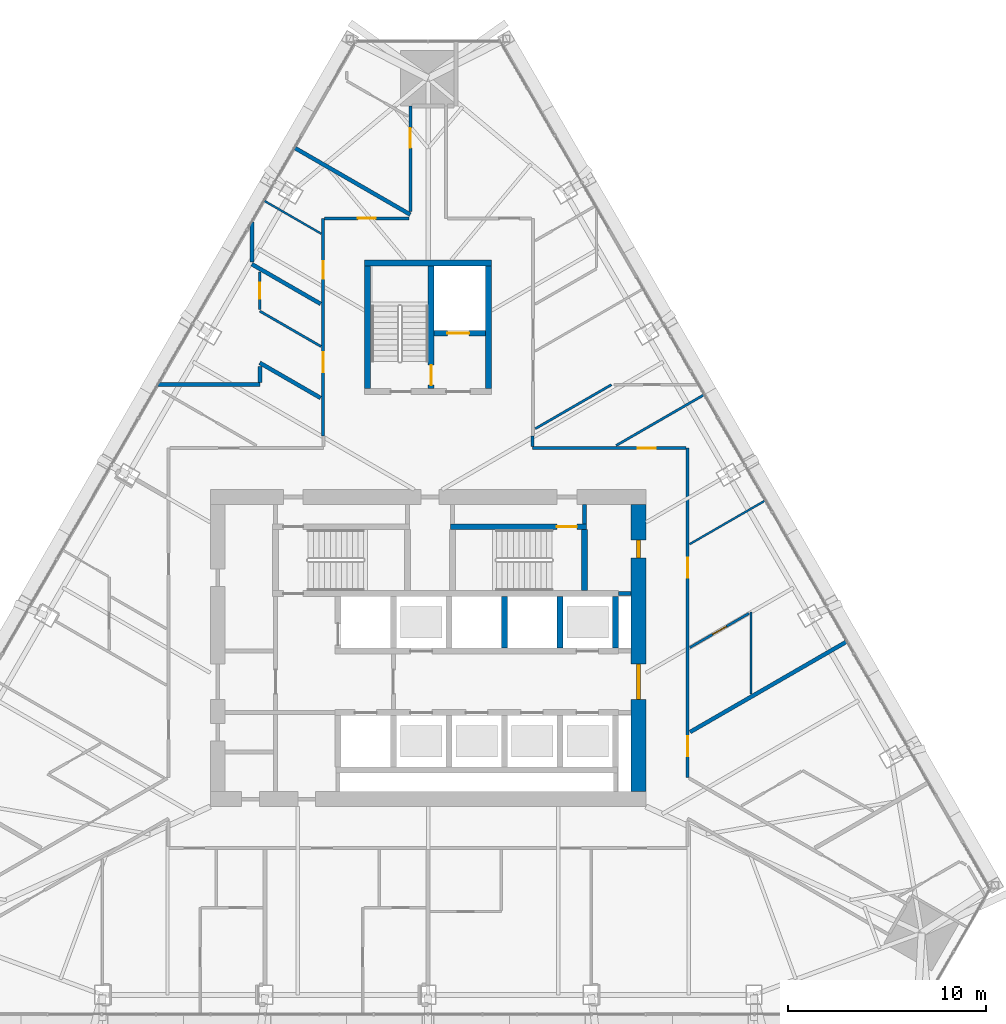
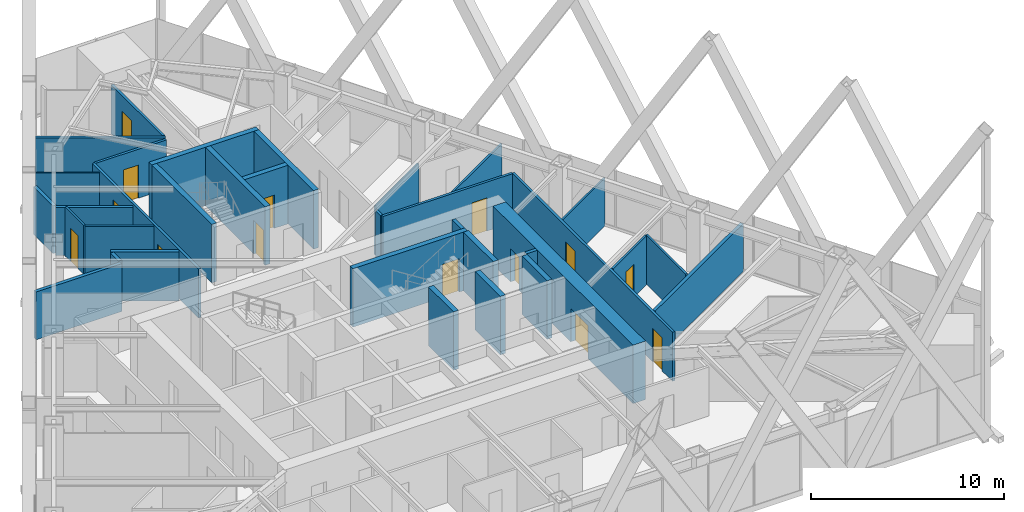
# One storey, part 16 of 19: 34 walls, 14 doors, 14 openings.
"""IFC4 building model written with IfcOpenShell, lengths in metres."""

from ifc_helpers import new_model, si_unit, direction, frame, frame_2d, origin, place, context, subcontext, project, spatial, rectangle, extrude, material, layer, layer_set, type_object, element, fill, save


model = new_model("IFC4")

# Units and contexts
model_context = context("Model", 3, precision=1e-05, world=origin(), true_north=direction((0.0, 1.0)))
body_context = subcontext(model_context, "Body", "Model", "MODEL_VIEW")
ifc_project = project(units=[si_unit("LENGTHUNIT", "METRE"), si_unit("AREAUNIT", "SQUARE_METRE"), si_unit("VOLUMEUNIT", "CUBIC_METRE"), si_unit("PLANEANGLEUNIT", "RADIAN"), si_unit("MASSUNIT", "GRAM", prefix="KILO")], contexts=[model_context])

# Site, building, storey
site_placement = place(None, origin())
site = spatial("IfcSite", under=ifc_project, at=site_placement, CompositionType="ELEMENT")
building_placement = place(site_placement, origin())
building = spatial("IfcBuilding", under=site, at=building_placement, Name="Firuza Gate Tower and Library", CompositionType="ELEMENT")
storey_placement = place(building_placement, frame((0.0, 0.0, 233.800048828125)))
storey = spatial("IfcBuildingStorey", under=building, at=storey_placement, Name="L55", CompositionType="ELEMENT", Elevation=233.800048828125)

# Walls
ifc_material_1 = material(Name="Plasterboard on steel studs", Category="steel")
ifc_layer_1 = layer(ifc_material_1, 0.199951171875)
ifc_layer_set_1 = layer_set([ifc_layer_1], Name="Core partition 200 EI 120")
wall_type_1 = type_object("IfcWallType", Name="Core partition 200 EI 120", PredefinedType="PARTITIONING", material=ifc_layer_set_1)
wall_1_placement = place(storey_placement, frame((84.60009765625, 77.75, 0.0), z_axis=(0.0, 0.0, 1.0), x_axis=(1.0, 0.0, 0.0)))
element("IfcWall", 1, at=wall_1_placement, inside=storey, type_object=wall_type_1, Name="Core partition L55 6", PredefinedType="PARTITIONING", context=body_context, shape_type="SweptSolid", body=[
    extrude(rectangle(XDim=0.64990234375, YDim=0.199951171875, at=frame_2d((0.324951171875, 0.0))), origin(), (0.0, 0.0, 1.0), 3.699951171875),
])
ifc_material_2 = material(Name="Plasterboard on steel studs", Category="steel")
ifc_layer_2 = layer(ifc_material_2, 0.199951171875)
ifc_layer_set_2 = layer_set([ifc_layer_2], Name="Core partition 200 EI 60")
wall_type_2 = type_object("IfcWallType", Name="Core partition 200 EI 60", PredefinedType="PARTITIONING", material=ifc_layer_set_2)
wall_2_placement = place(storey_placement, frame((82.89990234375, 81.280029296875, 0.0), z_axis=(0.0, 0.0, 1.0), x_axis=(0.0, 1.0, 0.0)))
element("IfcWall", 2, at=wall_2_placement, inside=storey, type_object=wall_type_2, Name="Core partition L55 14", PredefinedType="PARTITIONING", context=body_context, shape_type="SweptSolid", body=[
    extrude(rectangle(XDim=0.969970703125, YDim=0.199951171875, at=frame_2d((0.48486328125, 0.0))), origin(), (0.0, 0.0, 1.0), 3.699951171875),
])
ifc_material_3 = material(Name="Concrete C80/95", Category="concrete")
ifc_layer_3 = layer(ifc_material_3, 0.300048828125)
ifc_layer_set_3 = layer_set([ifc_layer_3], Name="Core wall 300 C80/95")
wall_type_3 = type_object("IfcWallType", Name="Core wall 300 C80/95", PredefinedType="SHEAR", material=ifc_layer_set_3)
for number, where, z_axis, x_axis, name in (
    (3, (78.85009765625, 75.0, 0.0), (0.0, 0.0, 1.0), (0.0, 1.0, 0.0), "Core wall L55 15"),
    (4, (81.64990234375, 75.0, 0.0), (0.0, 0.0, 1.0), (0.0, 1.0, 0.0), "Core wall L55 17"),
    (5, (84.449951171875, 75.0, 0.0), (0.0, 0.0, 1.0), (0.0, 1.0, 0.0), "Core wall L55 19"),
):
    element("IfcWall", number, at=place(storey_placement, frame(where, z_axis=z_axis, x_axis=x_axis)), inside=storey, type_object=wall_type_3, Name=name, PredefinedType="SHEAR", context=body_context, shape_type="SweptSolid", body=[
        extrude(rectangle(XDim=2.60009765625, YDim=0.300048828125, at=frame_2d((1.300048828125, 0.0))), origin(), (0.0, 0.0, 1.0), 3.699951171875),
    ])

# Wall, opening, door
wall_3_placement = place(storey_placement, frame((76.139892578125, 81.1298828125, 0.0), z_axis=(0.0, 0.0, 1.0), x_axis=(1.0, 0.0, 0.0)))
wall_3 = element("IfcWall", 6, at=wall_3_placement, inside=storey, type_object=wall_type_3, Name="Core wall L55 22", PredefinedType="SHEAR", context=body_context, shape_type="SweptSolid", body=[
    extrude(rectangle(XDim=6.860107421875, YDim=0.300048828125, at=frame_2d((3.43017578125, 0.0))), origin(), (0.0, 0.0, 1.0), 3.699951171875),
])
opening_1_placement = place(wall_3_placement, frame((5.364990234375, 0.0, 0.0)))
opening_1 = element("IfcOpeningElement", 7, at=opening_1_placement, cuts=wall_3, Name="Opening L55-K13", PredefinedType="OPENING", context=body_context, shape_type="SweptSolid", body=[
    extrude(rectangle(XDim=1.0, YDim=2.10009765625, at=frame_2d((0.5, 1.050048828125))), frame((0.0, 0.16015625, 0.0), z_axis=(0.0, -1.0, 0.0), x_axis=(1.0, 0.0, 0.0)), (0.0, 0.0, 1.0), 0.320068359375),
])
ifc_material_4 = material(Name="Steel", Category="steel")
door_type_1 = type_object("IfcDoorType", Name="Fire door 1000x2100 FD90", OperationType="NOTDEFINED", PredefinedType="DOOR", material=ifc_material_4)
door_1_placement = place(opening_1_placement, origin())
door_1 = element("IfcDoor", 8, at=door_1_placement, inside=storey, type_object=door_type_1, Name="Door L55-K13", OperationType="SINGLE_SWING_RIGHT", OverallHeight=2.10009765625, OverallWidth=1.0, PredefinedType="DOOR", context=body_context, shape_type="SweptSolid", body=[
    extrude(rectangle(XDim=1.0, YDim=2.10009765625, at=frame_2d((0.5, 1.050048828125))), frame((0.0, 0.02490234375, 0.0), z_axis=(0.0, -1.0, 0.0), x_axis=(1.0, 0.0, 0.0)), (0.0, 0.0, 1.0), 0.050048828125),
])
fill(opening_1, door_1)

# Walls
wall_4_placement = place(storey_placement, frame((82.89990234375, 77.89990234375, 0.0), z_axis=(0.0, 0.0, 1.0), x_axis=(0.0, 1.0, 0.0)))
element("IfcWall", 9, at=wall_4_placement, inside=storey, type_object=wall_type_3, Name="Core wall L55 26", PredefinedType="SHEAR", context=body_context, shape_type="SweptSolid", body=[
    extrude(rectangle(XDim=3.080078125, YDim=0.300048828125, at=frame_2d((1.5400390625, 0.0))), origin(), (0.0, 0.0, 1.0), 3.699951171875),
])
wall_5_placement = place(storey_placement, frame((71.800048828125, 94.449951171875, 0.0), z_axis=(0.0, 0.0, 1.0), x_axis=(1.0, 0.0, 0.0)))
element("IfcWall", 10, at=wall_5_placement, inside=storey, type_object=wall_type_3, Name="Core wall L55 28", PredefinedType="SHEAR", context=body_context, shape_type="SweptSolid", body=[
    extrude(rectangle(XDim=6.39990234375, YDim=0.300048828125, at=frame_2d((3.199951171875, 0.0))), origin(), (0.0, 0.0, 1.0), 3.699951171875),
])
for number, where, z_axis, x_axis, name in (
    (11, (71.949951171875, 88.10009765625, 0.0), (0.0, 0.0, 1.0), (0.0, 1.0, 0.0), "Core wall L55 29"),
    (12, (78.050048828125, 88.10009765625, 0.0), (0.0, 0.0, 1.0), (0.0, 1.0, 0.0), "Core wall L55 30"),
):
    element("IfcWall", number, at=place(storey_placement, frame(where, z_axis=z_axis, x_axis=x_axis)), inside=storey, type_object=wall_type_3, Name=name, PredefinedType="SHEAR", context=body_context, shape_type="SweptSolid", body=[
        extrude(rectangle(XDim=6.199951171875, YDim=0.300048828125, at=frame_2d((3.10009765625, 0.0))), origin(), (0.0, 0.0, 1.0), 3.699951171875),
    ])

# Wall, opening, door
wall_6_placement = place(storey_placement, frame((75.300048828125, 90.89990234375, 0.0), z_axis=(0.0, 0.0, 1.0), x_axis=(1.0, 0.0, 0.0)))
wall_6 = element("IfcWall", 13, at=wall_6_placement, inside=storey, type_object=wall_type_3, Name="Core wall L55 31", PredefinedType="SHEAR", context=body_context, shape_type="SweptSolid", body=[
    extrude(rectangle(XDim=2.599853515625, YDim=0.300048828125, at=frame_2d((1.2998046875, 0.0))), origin(), (0.0, 0.0, 1.0), 3.699951171875),
])
opening_2_placement = place(wall_6_placement, frame((0.675048828125, 0.0, 0.0)))
opening_2 = element("IfcOpeningElement", 14, at=opening_2_placement, cuts=wall_6, Name="Opening LD-SV1-L55", PredefinedType="OPENING", context=body_context, shape_type="SweptSolid", body=[
    extrude(rectangle(XDim=1.10009765625, YDim=2.10009765625, at=frame_2d((0.550048828125, 1.050048828125))), frame((0.0, 0.16015625, 0.0), z_axis=(0.0, -1.0, 0.0), x_axis=(1.0, 0.0, 0.0)), (0.0, 0.0, 1.0), 0.320068359375),
])
ifc_material_5 = material(Name="Stainless steel", Category="steel")
door_type_2 = type_object("IfcDoorType", Name="Lift landing door 1100x2100", OperationType="DOUBLE_DOOR_SLIDING", PredefinedType="DOOR", material=ifc_material_5)
door_2_placement = place(opening_2_placement, origin())
door_2 = element("IfcDoor", 15, at=door_2_placement, inside=storey, type_object=door_type_2, Name="Landing door SV1 L55", OperationType="DOUBLE_DOOR_SLIDING", OverallHeight=2.10009765625, OverallWidth=1.10009765625, PredefinedType="DOOR", context=body_context, shape_type="SweptSolid", body=[
    extrude(rectangle(XDim=1.10009765625, YDim=2.10009765625, at=frame_2d((0.550048828125, 1.050048828125))), frame((0.0, 0.02490234375, 0.0), z_axis=(0.0, -1.0, 0.0), x_axis=(1.0, 0.0, 0.0)), (0.0, 0.0, 1.0), 0.050048828125),
])
fill(opening_2, door_2)

wall_7_placement = place(storey_placement, frame((75.14990234375, 88.10009765625, 0.0), z_axis=(0.0, 0.0, 1.0), x_axis=(0.0, 1.0, 0.0)))
wall_7 = element("IfcWall", 16, at=wall_7_placement, inside=storey, type_object=wall_type_3, Name="Core wall L55 32", PredefinedType="SHEAR", context=body_context, shape_type="SweptSolid", body=[
    extrude(rectangle(XDim=6.199951171875, YDim=0.300048828125, at=frame_2d((3.10009765625, 0.0))), origin(), (0.0, 0.0, 1.0), 3.699951171875),
])
opening_3_placement = place(wall_7_placement, frame((0.18505859375, 0.0, 0.0)))
opening_3 = element("IfcOpeningElement", 17, at=opening_3_placement, cuts=wall_7, Name="Opening L55-K16", PredefinedType="OPENING", context=body_context, shape_type="SweptSolid", body=[
    extrude(rectangle(XDim=1.0, YDim=2.10009765625, at=frame_2d((0.5, 1.050048828125))), frame((0.0, 0.16015625, 0.0), z_axis=(0.0, -1.0, 0.0), x_axis=(1.0, 0.0, 0.0)), (0.0, 0.0, 1.0), 0.320068359375),
])
door_3_placement = place(opening_3_placement, origin())
door_3 = element("IfcDoor", 18, at=door_3_placement, inside=storey, type_object=door_type_1, Name="Door L55-K16", OperationType="SINGLE_SWING_LEFT", OverallHeight=2.10009765625, OverallWidth=1.0, PredefinedType="DOOR", context=body_context, shape_type="SweptSolid", body=[
    extrude(rectangle(XDim=1.0, YDim=2.10009765625, at=frame_2d((0.5, 1.050048828125))), frame((0.0, 0.02490234375, 0.0), z_axis=(0.0, -1.0, 0.0), x_axis=(1.0, 0.0, 0.0)), (0.0, 0.0, 1.0), 0.050048828125),
])
fill(opening_3, door_3)

# Wall, openings, doors
ifc_material_6 = material(Name="Concrete C80/95", Category="concrete")
ifc_layer_4 = layer(ifc_material_6, 0.75)
ifc_layer_set_4 = layer_set([ifc_layer_4], Name="Core wall 750 C80/95")
wall_type_4 = type_object("IfcWallType", Name="Core wall 750 C80/95", PredefinedType="SHEAR", material=ifc_layer_set_4)
wall_8_placement = place(storey_placement, frame((85.625, 67.75, 0.0), z_axis=(0.0, 0.0, 1.0), x_axis=(0.0, 1.0, 0.0)))
wall_8 = element("IfcWall", 19, at=wall_8_placement, inside=storey, type_object=wall_type_4, Name="Core wall L55 4", PredefinedType="SHEAR", context=body_context, shape_type="SweptSolid", body=[
    extrude(rectangle(XDim=14.5, YDim=0.75, at=frame_2d((7.25, 0.0))), origin(), (0.0, 0.0, 1.0), 3.699951171875),
])
opening_4_placement = place(wall_8_placement, frame((4.64990234375, 0.0, 0.0)))
opening_4 = element("IfcOpeningElement", 20, at=opening_4_placement, cuts=wall_8, Name="Opening L55-K21", PredefinedType="OPENING", context=body_context, shape_type="SweptSolid", body=[
    extrude(rectangle(XDim=1.800048828125, YDim=2.10009765625, at=frame_2d((0.89990234375, 1.050048828125))), frame((0.0, 0.385009765625, 0.0), z_axis=(0.0, -1.0, 0.0), x_axis=(1.0, 0.0, 0.0)), (0.0, 0.0, 1.0), 0.77001953125),
])
opening_5_placement = place(wall_8_placement, frame((11.800048828125, 0.0, 0.0)))
opening_5 = element("IfcOpeningElement", 21, at=opening_5_placement, cuts=wall_8, Name="Opening L55-K27", PredefinedType="OPENING", context=body_context, shape_type="SweptSolid", body=[
    extrude(rectangle(XDim=0.89990234375, YDim=2.10009765625, at=frame_2d((0.449951171875, 1.050048828125))), frame((0.0, 0.385009765625, 0.0), z_axis=(0.0, -1.0, 0.0), x_axis=(1.0, 0.0, 0.0)), (0.0, 0.0, 1.0), 0.77001953125),
])
ifc_material_7 = material(Name="Steel", Category="steel")
door_type_3 = type_object("IfcDoorType", Name="Fire door 1800x2100 FD30S", OperationType="NOTDEFINED", PredefinedType="DOOR", material=ifc_material_7)
door_4_placement = place(opening_4_placement, origin())
door_4 = element("IfcDoor", 22, at=door_4_placement, inside=storey, type_object=door_type_3, Name="Door L55-K21", OperationType="SINGLE_SWING_RIGHT", OverallHeight=2.10009765625, OverallWidth=1.800048828125, PredefinedType="DOOR", context=body_context, shape_type="SweptSolid", body=[
    extrude(rectangle(XDim=1.800048828125, YDim=2.10009765625, at=frame_2d((0.89990234375, 1.050048828125))), frame((0.0, 0.094970703125, 0.0), z_axis=(0.0, -1.0, 0.0), x_axis=(1.0, 0.0, 0.0)), (0.0, 0.0, 1.0), 0.18994140625),
])
fill(opening_4, door_4)
ifc_material_8 = material(Name="Steel", Category="steel")
door_type_4 = type_object("IfcDoorType", Name="Fire door 900x2100 FD30S", OperationType="NOTDEFINED", PredefinedType="DOOR", material=ifc_material_8)
door_5_placement = place(opening_5_placement, origin())
door_5 = element("IfcDoor", 23, at=door_5_placement, inside=storey, type_object=door_type_4, Name="Door L55-K27", OperationType="SINGLE_SWING_RIGHT", OverallHeight=2.10009765625, OverallWidth=0.89990234375, PredefinedType="DOOR", context=body_context, shape_type="SweptSolid", body=[
    extrude(rectangle(XDim=0.89990234375, YDim=2.10009765625, at=frame_2d((0.449951171875, 1.050048828125))), frame((0.0, 0.094970703125, 0.0), z_axis=(0.0, -1.0, 0.0), x_axis=(1.0, 0.0, 0.0)), (0.0, 0.0, 1.0), 0.18994140625),
])
fill(opening_5, door_5)

# Wall, opening, door
ifc_material_9 = material(Name="Gypsum board partition")
ifc_layer_5 = layer(ifc_material_9, 0.14990234375)
ifc_layer_set_5 = layer_set([ifc_layer_5], Name="Corridor wall 150 double board on steel studs")
wall_type_5 = type_object("IfcWallType", Name="Corridor wall 150 double board on steel studs", PredefinedType="PARTITIONING", material=ifc_layer_set_5)
wall_9_placement = place(storey_placement, frame((88.0244140625, 85.10009765625, 0.0), z_axis=(0.0, 0.0, 1.0), x_axis=(-1.0, 0.0, 0.0)))
wall_9 = element("IfcWall", 24, at=wall_9_placement, inside=storey, type_object=wall_type_5, Name="f:L55:w013", PredefinedType="PARTITIONING", context=body_context, shape_type="SweptSolid", body=[
    extrude(rectangle(XDim=7.743896484375, YDim=0.14990234375, at=frame_2d((3.8720703125, 0.0))), origin(), (0.0, 0.0, 1.0), 3.099853515625),
])
opening_6_placement = place(wall_9_placement, frame((1.529541015625, 0.0, 0.0)))
opening_6 = element("IfcOpeningElement", 25, at=opening_6_placement, cuts=wall_9, Name="Opening L55-09", PredefinedType="OPENING", context=body_context, shape_type="SweptSolid", body=[
    extrude(rectangle(XDim=0.89990234375, YDim=2.10009765625, at=frame_2d((0.449951171875, 1.050048828125))), frame((0.0, 0.0849609375, 0.0), z_axis=(0.0, -1.0, 0.0), x_axis=(1.0, 0.0, 0.0)), (0.0, 0.0, 1.0), 0.169921875),
])
ifc_material_10 = material(Name="Steel door and timber leaf", Category="steel")
door_type_5 = type_object("IfcDoorType", Name="Fire door 900 x 2100 steel frame, timber leaf", OperationType="NOTDEFINED", PredefinedType="DOOR", material=ifc_material_10)
door_6_placement = place(opening_6_placement, origin())
door_6 = element("IfcDoor", 26, at=door_6_placement, inside=storey, type_object=door_type_5, Name="f:L55:d009", OperationType="SINGLE_SWING_RIGHT", OverallHeight=2.10009765625, OverallWidth=0.89990234375, PredefinedType="DOOR", context=body_context, shape_type="SweptSolid", body=[
    extrude(rectangle(XDim=0.89990234375, YDim=2.10009765625, at=frame_2d((0.449951171875, 1.050048828125))), frame((0.0, 0.02490234375, 0.0), z_axis=(0.0, -1.0, 0.0), x_axis=(1.0, 0.0, 0.0)), (0.0, 0.0, 1.0), 0.050048828125),
])
fill(opening_6, door_6)

wall_10_placement = place(storey_placement, frame((69.775390625, 96.699951171875, 0.0), z_axis=(0.0, 0.0, 1.0), x_axis=(1.0, 0.0, 0.0)))
wall_10 = element("IfcWall", 27, at=wall_10_placement, inside=storey, type_object=wall_type_5, Name="f:L55:w016", PredefinedType="PARTITIONING", context=body_context, shape_type="SweptSolid", body=[
    extrude(rectangle(XDim=4.24951171875, YDim=0.14990234375, at=frame_2d((2.124755859375, 0.0))), origin(), (0.0, 0.0, 1.0), 3.099853515625),
])
opening_7_placement = place(wall_10_placement, frame((1.6748046875, 0.0, 0.0)))
opening_7 = element("IfcOpeningElement", 28, at=opening_7_placement, cuts=wall_10, Name="Opening L55-11", PredefinedType="OPENING", context=body_context, shape_type="SweptSolid", body=[
    extrude(rectangle(XDim=0.89990234375, YDim=2.10009765625, at=frame_2d((0.449951171875, 1.050048828125))), frame((0.0, 0.0849609375, 0.0), z_axis=(0.0, -1.0, 0.0), x_axis=(1.0, 0.0, 0.0)), (0.0, 0.0, 1.0), 0.169921875),
])
door_7_placement = place(opening_7_placement, origin())
door_7 = element("IfcDoor", 29, at=door_7_placement, inside=storey, type_object=door_type_5, Name="f:L55:d011", OperationType="SINGLE_SWING_LEFT", OverallHeight=2.10009765625, OverallWidth=0.89990234375, PredefinedType="DOOR", context=body_context, shape_type="SweptSolid", body=[
    extrude(rectangle(XDim=0.89990234375, YDim=2.10009765625, at=frame_2d((0.449951171875, 1.050048828125))), frame((0.0, 0.02490234375, 0.0), z_axis=(0.0, -1.0, 0.0), x_axis=(1.0, 0.0, 0.0)), (0.0, 0.0, 1.0), 0.050048828125),
])
fill(opening_7, door_7)

# Wall, openings, doors
wall_11_placement = place(storey_placement, frame((88.10009765625, 85.099609375, 0.0), z_axis=(0.0, 0.0, 1.0), x_axis=(0.0, -1.0, 0.0)))
wall_11 = element("IfcWall", 30, at=wall_11_placement, inside=storey, type_object=wall_type_5, Name="f:L55:w041", PredefinedType="PARTITIONING", context=body_context, shape_type="SweptSolid", body=[
    extrude(rectangle(XDim=16.62353515625, YDim=0.14990234375, at=frame_2d((8.311767578125, 0.0))), origin(), (0.0, 0.0, 1.0), 3.099853515625),
])
opening_8_placement = place(wall_11_placement, frame((5.541748046875, 0.0, 0.0)))
opening_8 = element("IfcOpeningElement", 31, at=opening_8_placement, cuts=wall_11, Name="Opening L55-22", PredefinedType="OPENING", context=body_context, shape_type="SweptSolid", body=[
    extrude(rectangle(XDim=1.0, YDim=2.10009765625, at=frame_2d((0.5, 1.050048828125))), frame((0.0, 0.0849609375, 0.0), z_axis=(0.0, -1.0, 0.0), x_axis=(1.0, 0.0, 0.0)), (0.0, 0.0, 1.0), 0.169921875),
])
opening_9_placement = place(wall_11_placement, frame((14.55810546875, 0.0, 0.0)))
opening_9 = element("IfcOpeningElement", 32, at=opening_9_placement, cuts=wall_11, Name="Opening L55-23", PredefinedType="OPENING", context=body_context, shape_type="SweptSolid", body=[
    extrude(rectangle(XDim=1.0, YDim=2.10009765625, at=frame_2d((0.5, 1.050048828125))), frame((0.0, 0.0849609375, 0.0), z_axis=(0.0, -1.0, 0.0), x_axis=(1.0, 0.0, 0.0)), (0.0, 0.0, 1.0), 0.169921875),
])
ifc_material_11 = material(Name="Steel door and timber leaf", Category="steel")
door_type_6 = type_object("IfcDoorType", Name="Fire door 1000 x 2100 steel frame, timber leaf", OperationType="NOTDEFINED", PredefinedType="DOOR", material=ifc_material_11)
door_8_placement = place(opening_8_placement, origin())
door_8 = element("IfcDoor", 33, at=door_8_placement, inside=storey, type_object=door_type_6, Name="f:L55:d022", OperationType="SINGLE_SWING_RIGHT", OverallHeight=2.10009765625, OverallWidth=1.0, PredefinedType="DOOR", context=body_context, shape_type="SweptSolid", body=[
    extrude(rectangle(XDim=1.0, YDim=2.10009765625, at=frame_2d((0.5, 1.050048828125))), frame((0.0, 0.02490234375, 0.0), z_axis=(0.0, -1.0, 0.0), x_axis=(1.0, 0.0, 0.0)), (0.0, 0.0, 1.0), 0.050048828125),
])
fill(opening_8, door_8)
door_9_placement = place(opening_9_placement, origin())
door_9 = element("IfcDoor", 34, at=door_9_placement, inside=storey, type_object=door_type_6, Name="f:L55:d023", OperationType="SINGLE_SWING_RIGHT", OverallHeight=2.10009765625, OverallWidth=1.0, PredefinedType="DOOR", context=body_context, shape_type="SweptSolid", body=[
    extrude(rectangle(XDim=1.0, YDim=2.10009765625, at=frame_2d((0.5, 1.050048828125))), frame((0.0, 0.02490234375, 0.0), z_axis=(0.0, -1.0, 0.0), x_axis=(1.0, 0.0, 0.0)), (0.0, 0.0, 1.0), 0.050048828125),
])
fill(opening_9, door_9)

# Wall
wall_12_placement = place(storey_placement, frame((80.281005859375, 85.175048828125, 0.0), z_axis=(0.0, 0.0, 1.0), x_axis=(0.0, 1.0, 0.0)))
element("IfcWall", 35, at=wall_12_placement, inside=storey, type_object=wall_type_5, Name="f:L55:w046", PredefinedType="PARTITIONING", context=body_context, shape_type="SweptSolid", body=[
    extrude(rectangle(XDim=0.52490234375, YDim=0.14990234375, at=frame_2d((0.262451171875, 0.0))), origin(), (0.0, 0.0, 1.0), 3.099853515625),
])

# Wall, opening, door
wall_13_placement = place(storey_placement, frame((74.10009765625, 97.050048828125, 0.0), z_axis=(0.0, 0.0, 1.0), x_axis=(0.0, 1.0, 0.0)))
wall_13 = element("IfcWall", 36, at=wall_13_placement, inside=storey, type_object=wall_type_5, Name="f:L55:w052", PredefinedType="PARTITIONING", context=body_context, shape_type="SweptSolid", body=[
    extrude(rectangle(XDim=5.322021484375, YDim=0.14990234375, at=frame_2d((2.6611328125, 0.0))), origin(), (0.0, 0.0, 1.0), 3.099853515625),
])
opening_10_placement = place(wall_13_placement, frame((3.208740234375, 0.0, 0.0)))
opening_10 = element("IfcOpeningElement", 37, at=opening_10_placement, cuts=wall_13, Name="Opening L55-26", PredefinedType="OPENING", context=body_context, shape_type="SweptSolid", body=[
    extrude(rectangle(XDim=1.0, YDim=2.10009765625, at=frame_2d((0.5, 1.050048828125))), frame((0.0, 0.0849609375, 0.0), z_axis=(0.0, -1.0, 0.0), x_axis=(1.0, 0.0, 0.0)), (0.0, 0.0, 1.0), 0.169921875),
])
door_10_placement = place(opening_10_placement, origin())
door_10 = element("IfcDoor", 38, at=door_10_placement, inside=storey, type_object=door_type_6, Name="f:L55:d026", OperationType="SINGLE_SWING_LEFT", OverallHeight=2.10009765625, OverallWidth=1.0, PredefinedType="DOOR", context=body_context, shape_type="SweptSolid", body=[
    extrude(rectangle(XDim=1.0, YDim=2.10009765625, at=frame_2d((0.5, 1.050048828125))), frame((0.0, 0.02490234375, 0.0), z_axis=(0.0, -1.0, 0.0), x_axis=(1.0, 0.0, 0.0)), (0.0, 0.0, 1.0), 0.050048828125),
])
fill(opening_10, door_10)

# Wall, openings, doors
wall_14_placement = place(storey_placement, frame((69.699951171875, 85.700439453125, 0.0), z_axis=(0.0, 0.0, 1.0), x_axis=(0.0, 1.0, 0.0)))
wall_14 = element("IfcWall", 39, at=wall_14_placement, inside=storey, type_object=wall_type_5, Name="f:L55:w057", PredefinedType="PARTITIONING", context=body_context, shape_type="SweptSolid", body=[
    extrude(rectangle(XDim=10.9990234375, YDim=0.14990234375, at=frame_2d((5.49951171875, 0.0))), origin(), (0.0, 0.0, 1.0), 3.099853515625),
])
opening_11_placement = place(wall_14_placement, frame((3.230224609375, 0.0, 0.0)))
opening_11 = element("IfcOpeningElement", 40, at=opening_11_placement, cuts=wall_14, Name="Opening L55-28", PredefinedType="OPENING", context=body_context, shape_type="SweptSolid", body=[
    extrude(rectangle(XDim=1.0, YDim=2.10009765625, at=frame_2d((0.5, 1.050048828125))), frame((0.0, 0.0849609375, 0.0), z_axis=(0.0, -1.0, 0.0), x_axis=(1.0, 0.0, 0.0)), (0.0, 0.0, 1.0), 0.169921875),
])
opening_12_placement = place(wall_14_placement, frame((7.937744140625, 0.0, 0.0)))
opening_12 = element("IfcOpeningElement", 41, at=opening_12_placement, cuts=wall_14, Name="Opening L55-29", PredefinedType="OPENING", context=body_context, shape_type="SweptSolid", body=[
    extrude(rectangle(XDim=0.89990234375, YDim=2.10009765625, at=frame_2d((0.449951171875, 1.050048828125))), frame((0.0, 0.0849609375, 0.0), z_axis=(0.0, -1.0, 0.0), x_axis=(1.0, 0.0, 0.0)), (0.0, 0.0, 1.0), 0.169921875),
])
door_11_placement = place(opening_11_placement, origin())
door_11 = element("IfcDoor", 42, at=door_11_placement, inside=storey, type_object=door_type_6, Name="f:L55:d028", OperationType="SINGLE_SWING_LEFT", OverallHeight=2.10009765625, OverallWidth=1.0, PredefinedType="DOOR", context=body_context, shape_type="SweptSolid", body=[
    extrude(rectangle(XDim=1.0, YDim=2.10009765625, at=frame_2d((0.5, 1.050048828125))), frame((0.0, 0.02490234375, 0.0), z_axis=(0.0, -1.0, 0.0), x_axis=(1.0, 0.0, 0.0)), (0.0, 0.0, 1.0), 0.050048828125),
])
fill(opening_11, door_11)
door_12_placement = place(opening_12_placement, origin())
door_12 = element("IfcDoor", 43, at=door_12_placement, inside=storey, type_object=door_type_5, Name="f:L55:d029", OperationType="SINGLE_SWING_RIGHT", OverallHeight=2.10009765625, OverallWidth=0.89990234375, PredefinedType="DOOR", context=body_context, shape_type="SweptSolid", body=[
    extrude(rectangle(XDim=0.89990234375, YDim=2.10009765625, at=frame_2d((0.449951171875, 1.050048828125))), frame((0.0, 0.02490234375, 0.0), z_axis=(0.0, -1.0, 0.0), x_axis=(1.0, 0.0, 0.0)), (0.0, 0.0, 1.0), 0.050048828125),
])
fill(opening_12, door_12)

# Walls
ifc_material_12 = material(Name="Gypsum board partition")
ifc_layer_6 = layer(ifc_material_12, 0.199951171875)
ifc_layer_set_6 = layer_set([ifc_layer_6], Name="Demising wall 200 acoustic double stud")
wall_type_6 = type_object("IfcWallType", Name="Demising wall 200 acoustic double stud", PredefinedType="PARTITIONING", material=ifc_layer_set_6)
wall_15_placement = place(storey_placement, frame((61.3583984375, 88.300048828125, 0.0), z_axis=(0.0, 0.0, 1.0), x_axis=(1.0, 0.0, 0.0)))
element("IfcWall", 44, at=wall_15_placement, inside=storey, type_object=wall_type_6, Name="f:L55:w014", PredefinedType="PARTITIONING", context=body_context, shape_type="SweptSolid", body=[
    extrude(rectangle(XDim=5.14111328125, YDim=0.199951171875, at=frame_2d((2.570556640625, 0.0))), origin(), (0.0, 0.0, 1.0), 3.02197265625),
])
wall_16_placement = place(storey_placement, frame((88.22705078125, 70.76416015625, 0.0), z_axis=(0.0, 0.0, 1.0), x_axis=(0.866028789565, 0.499994135611, 0.0)))
element("IfcWall", 45, at=wall_16_placement, inside=storey, type_object=wall_type_6, Name="f:L55:w022", PredefinedType="PARTITIONING", context=body_context, shape_type="SweptSolid", body=[
    extrude(rectangle(XDim=9.126953125, YDim=0.199951171875, at=frame_2d((4.5634765625, 0.0))), origin(), (0.0, 0.0, 1.0), 3.02197265625),
])
wall_17_placement = place(storey_placement, frame((66.5, 88.400390625, 0.0), z_axis=(0.0, 0.0, 1.0), x_axis=(0.0, 1.0, 0.0)))
element("IfcWall", 46, at=wall_17_placement, inside=storey, type_object=wall_type_6, Name="f:L55:w059", PredefinedType="PARTITIONING", context=body_context, shape_type="SweptSolid", body=[
    extrude(rectangle(XDim=0.82958984375, YDim=0.199951171875, at=frame_2d((0.414794921875, 0.0))), origin(), (0.0, 0.0, 1.0), 3.099853515625),
])
wall_18_placement = place(storey_placement, frame((66.10009765625, 94.501708984375, 0.0), z_axis=(0.0, 0.0, 1.0), x_axis=(0.0, 1.0, 0.0)))
element("IfcWall", 47, at=wall_18_placement, inside=storey, type_object=wall_type_6, Name="f:L55:w062", PredefinedType="PARTITIONING", context=body_context, shape_type="SweptSolid", body=[
    extrude(rectangle(XDim=2.010986328125, YDim=0.199951171875, at=frame_2d((1.00537109375, 0.0))), origin(), (0.0, 0.0, 1.0), 3.02197265625),
])
wall_19_placement = place(storey_placement, frame((74.099853515625, 96.889892578125, 0.0), z_axis=(0.0, 0.0, 1.0), x_axis=(-0.866036585879, 0.499980631543, 0.0)))
element("IfcWall", 48, at=wall_19_placement, inside=storey, type_object=wall_type_6, Name="f:L55:w074", PredefinedType="PARTITIONING", context=body_context, shape_type="SweptSolid", body=[
    extrude(rectangle(XDim=6.739501953125, YDim=0.199951171875, at=frame_2d((3.36962890625, 0.0))), origin(), (0.0, 0.0, 1.0), 3.099853515625),
])
wall_20_placement = place(storey_placement, frame((69.572998046875, 92.380126953125, 0.0), z_axis=(0.0, 0.0, 1.0), x_axis=(-0.866020331166, 0.500008785931, 0.0)))
element("IfcWall", 49, at=wall_20_placement, inside=storey, type_object=wall_type_6, Name="f:L55:w076", PredefinedType="PARTITIONING", context=body_context, shape_type="SweptSolid", body=[
    extrude(rectangle(XDim=4.01025390625, YDim=0.199951171875, at=frame_2d((2.005126953125, 0.0))), origin(), (0.0, 0.0, 1.0), 3.02197265625),
])
wall_21_placement = place(storey_placement, frame((69.57275390625, 87.630859375, 0.0), z_axis=(0.0, 0.0, 1.0), x_axis=(-0.866028616566, 0.499994435258, 0.0)))
element("IfcWall", 50, at=wall_21_placement, inside=storey, type_object=wall_type_6, Name="f:L55:w078", PredefinedType="PARTITIONING", context=body_context, shape_type="SweptSolid", body=[
    extrude(rectangle(XDim=3.54833984375, YDim=0.199951171875, at=frame_2d((1.774169921875, 0.0))), origin(), (0.0, 0.0, 1.0), 3.099853515625),
])
ifc_material_13 = material(Name="Gypsum board partition")
ifc_layer_7 = layer(ifc_material_13, 0.10009765625)
ifc_layer_set_7 = layer_set([ifc_layer_7], Name="Partition 100 gypsum board on steel studs")
wall_type_7 = type_object("IfcWallType", Name="Partition 100 gypsum board on steel studs", PredefinedType="PARTITIONING", material=ifc_layer_set_7)
wall_22_placement = place(storey_placement, frame((88.20068359375, 80.24755859375, 0.0), z_axis=(0.0, 0.0, 1.0), x_axis=(0.866050012359, 0.499957374277, 0.0)))
element("IfcWall", 51, at=wall_22_placement, inside=storey, type_object=wall_type_7, Name="f:L55:w024", PredefinedType="PARTITIONING", context=body_context, shape_type="SweptSolid", body=[
    extrude(rectangle(XDim=4.408203125, YDim=0.10009765625, at=frame_2d((2.2041015625, 0.0))), origin(), (0.0, 0.0, 1.0), 3.02197265625),
])
wall_23_placement = place(storey_placement, frame((69.59912109375, 95.92724609375, 0.0), z_axis=(0.0, 0.0, 1.0), x_axis=(-0.866019199568, 0.500010745865, 0.0)))
element("IfcWall", 52, at=wall_23_placement, inside=storey, type_object=wall_type_7, Name="f:L55:w075", PredefinedType="PARTITIONING", context=body_context, shape_type="SweptSolid", body=[
    extrude(rectangle(XDim=3.3232421875, YDim=0.10009765625, at=frame_2d((1.66162109375, 0.0))), origin(), (0.0, 0.0, 1.0), 3.02197265625),
])

# Wall, opening, door
ifc_material_14 = material(Name="Gypsum board partition")
ifc_layer_8 = layer(ifc_material_14, 0.1201171875)
ifc_layer_set_8 = layer_set([ifc_layer_8], Name="Wet-area partition 120 moisture-resistant board")
wall_type_8 = type_object("IfcWallType", Name="Wet-area partition 120 moisture-resistant board", PredefinedType="PARTITIONING", material=ifc_layer_set_8)
wall_24_placement = place(storey_placement, frame((91.20556640625, 76.75732421875, 0.0), z_axis=(0.0, 0.0, 1.0), x_axis=(-0.866028087245, -0.499995352082, 0.0)))
wall_24 = element("IfcWall", 53, at=wall_24_placement, inside=storey, type_object=wall_type_8, Name="f:L55:w023", PredefinedType="PARTITIONING", context=body_context, shape_type="SweptSolid", body=[
    extrude(rectangle(XDim=3.458984375, YDim=0.1201171875, at=frame_2d((1.7294921875, 0.0))), origin(), (0.0, 0.0, 1.0), 3.099853515625),
])
opening_13_placement = place(wall_24_placement, frame((1.32958984375, 0.0, 0.0)))
opening_13 = element("IfcOpeningElement", 54, at=opening_13_placement, cuts=wall_24, Name="Opening L55-15", PredefinedType="OPENING", context=body_context, shape_type="SweptSolid", body=[
    extrude(rectangle(XDim=0.800048828125, YDim=2.10009765625, at=frame_2d((0.39990234375, 1.050048828125))), frame((0.0, 0.070068359375, 0.0), z_axis=(0.0, -1.0, 0.0), x_axis=(1.0, 0.0, 0.0)), (0.0, 0.0, 1.0), 0.14013671875),
])
ifc_material_15 = material(Name="Timber door", Category="wood")
door_type_7 = type_object("IfcDoorType", Name="Door 800 x 2100 timber leaf", OperationType="NOTDEFINED", PredefinedType="DOOR", material=ifc_material_15)
door_13_placement = place(opening_13_placement, origin())
door_13 = element("IfcDoor", 55, at=door_13_placement, inside=storey, type_object=door_type_7, Name="f:L55:d015", OperationType="SINGLE_SWING_LEFT", OverallHeight=2.10009765625, OverallWidth=0.800048828125, PredefinedType="DOOR", context=body_context, shape_type="SweptSolid", body=[
    extrude(rectangle(XDim=0.800048828125, YDim=2.10009765625, at=frame_2d((0.39990234375, 1.050048828125))), frame((0.0, 0.02490234375, 0.0), z_axis=(0.0, -1.0, 0.0), x_axis=(1.0, 0.0, 0.0)), (0.0, 0.0, 1.0), 0.050048828125),
])
fill(opening_13, door_13)

# Walls
wall_25_placement = place(storey_placement, frame((84.4931640625, 85.230224609375, 0.0), z_axis=(0.0, 0.0, 1.0), x_axis=(0.866034146242, 0.499984857314, 0.0)))
element("IfcWall", 56, at=wall_25_placement, inside=storey, type_object=wall_type_8, Name="f:L55:w030", PredefinedType="PARTITIONING", context=body_context, shape_type="SweptSolid", body=[
    extrude(rectangle(XDim=5.127685546875, YDim=0.1201171875, at=frame_2d((2.56396484375, 0.0))), origin(), (0.0, 0.0, 1.0), 3.02197265625),
])
wall_26_placement = place(storey_placement, frame((80.40966796875, 86.078125, 0.0), z_axis=(0.0, 0.0, 1.0), x_axis=(0.866033721197, 0.499985593543, 0.0)))
element("IfcWall", 57, at=wall_26_placement, inside=storey, type_object=wall_type_8, Name="f:L55:w031", PredefinedType="PARTITIONING", context=body_context, shape_type="SweptSolid", body=[
    extrude(rectangle(XDim=4.444091796875, YDim=0.1201171875, at=frame_2d((2.22216796875, 0.0))), origin(), (0.0, 0.0, 1.0), 3.099853515625),
])
wall_27_placement = place(storey_placement, frame((91.300048828125, 72.69384765625, 0.0), z_axis=(0.0, 0.0, 1.0), x_axis=(0.0, 1.0, 0.0)))
element("IfcWall", 58, at=wall_27_placement, inside=storey, type_object=wall_type_8, Name="f:L55:w039", PredefinedType="PARTITIONING", context=body_context, shape_type="SweptSolid", body=[
    extrude(rectangle(XDim=4.118408203125, YDim=0.1201171875, at=frame_2d((2.05908203125, 0.0))), origin(), (0.0, 0.0, 1.0), 3.099853515625),
])

# Wall, opening, door
wall_28_placement = place(storey_placement, frame((66.5, 93.9990234375, 0.0), z_axis=(0.0, 0.0, 1.0), x_axis=(0.0, -1.0, 0.0)))
wall_28 = element("IfcWall", 59, at=wall_28_placement, inside=storey, type_object=wall_type_8, Name="f:L55:w060", PredefinedType="PARTITIONING", context=body_context, shape_type="SweptSolid", body=[
    extrude(rectangle(XDim=1.912353515625, YDim=0.1201171875, at=frame_2d((0.9560546875, 0.0))), origin(), (0.0, 0.0, 1.0), 3.099853515625),
])
opening_14_placement = place(wall_28_placement, frame((0.55615234375, 0.0, 0.0)))
opening_14 = element("IfcOpeningElement", 60, at=opening_14_placement, cuts=wall_28, Name="Opening L55-30", PredefinedType="OPENING", context=body_context, shape_type="SweptSolid", body=[
    extrude(rectangle(XDim=0.800048828125, YDim=2.10009765625, at=frame_2d((0.39990234375, 1.050048828125))), frame((0.0, 0.070068359375, 0.0), z_axis=(0.0, -1.0, 0.0), x_axis=(1.0, 0.0, 0.0)), (0.0, 0.0, 1.0), 0.14013671875),
])
door_14_placement = place(opening_14_placement, origin())
door_14 = element("IfcDoor", 61, at=door_14_placement, inside=storey, type_object=door_type_7, Name="f:L55:d030", OperationType="SINGLE_SWING_LEFT", OverallHeight=2.10009765625, OverallWidth=0.800048828125, PredefinedType="DOOR", context=body_context, shape_type="SweptSolid", body=[
    extrude(rectangle(XDim=0.800048828125, YDim=2.10009765625, at=frame_2d((0.39990234375, 1.050048828125))), frame((0.0, 0.02490234375, 0.0), z_axis=(0.0, -1.0, 0.0), x_axis=(1.0, 0.0, 0.0)), (0.0, 0.0, 1.0), 0.050048828125),
])
fill(opening_14, door_14)

# Wall
wall_29_placement = place(storey_placement, frame((69.590087890625, 90.23291015625, 0.0), z_axis=(0.0, 0.0, 1.0), x_axis=(-0.866028357664, 0.499994883695, 0.0)))
element("IfcWall", 62, at=wall_29_placement, inside=storey, type_object=wall_type_8, Name="f:L55:w077", PredefinedType="PARTITIONING", context=body_context, shape_type="SweptSolid", body=[
    extrude(rectangle(XDim=3.568359375, YDim=0.1201171875, at=frame_2d((1.7841796875, 0.0))), origin(), (0.0, 0.0, 1.0), 3.099853515625),
])

save(model, "model.ifc")
